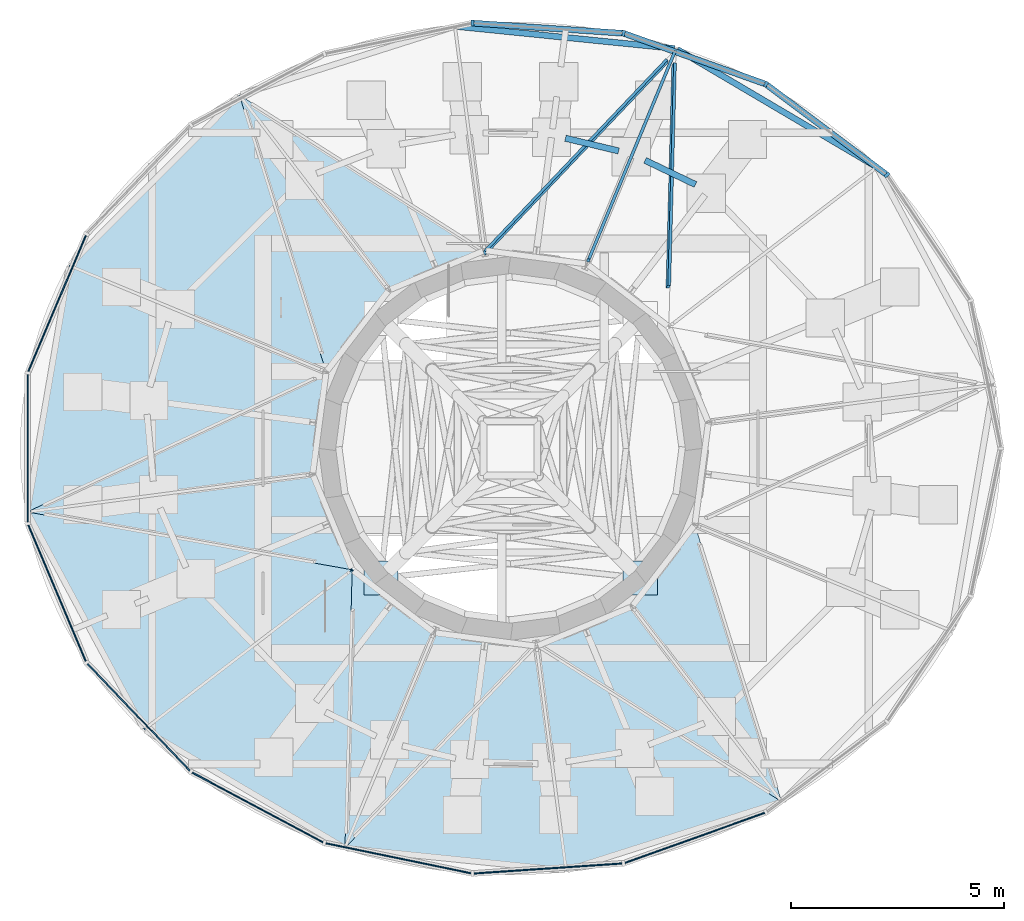
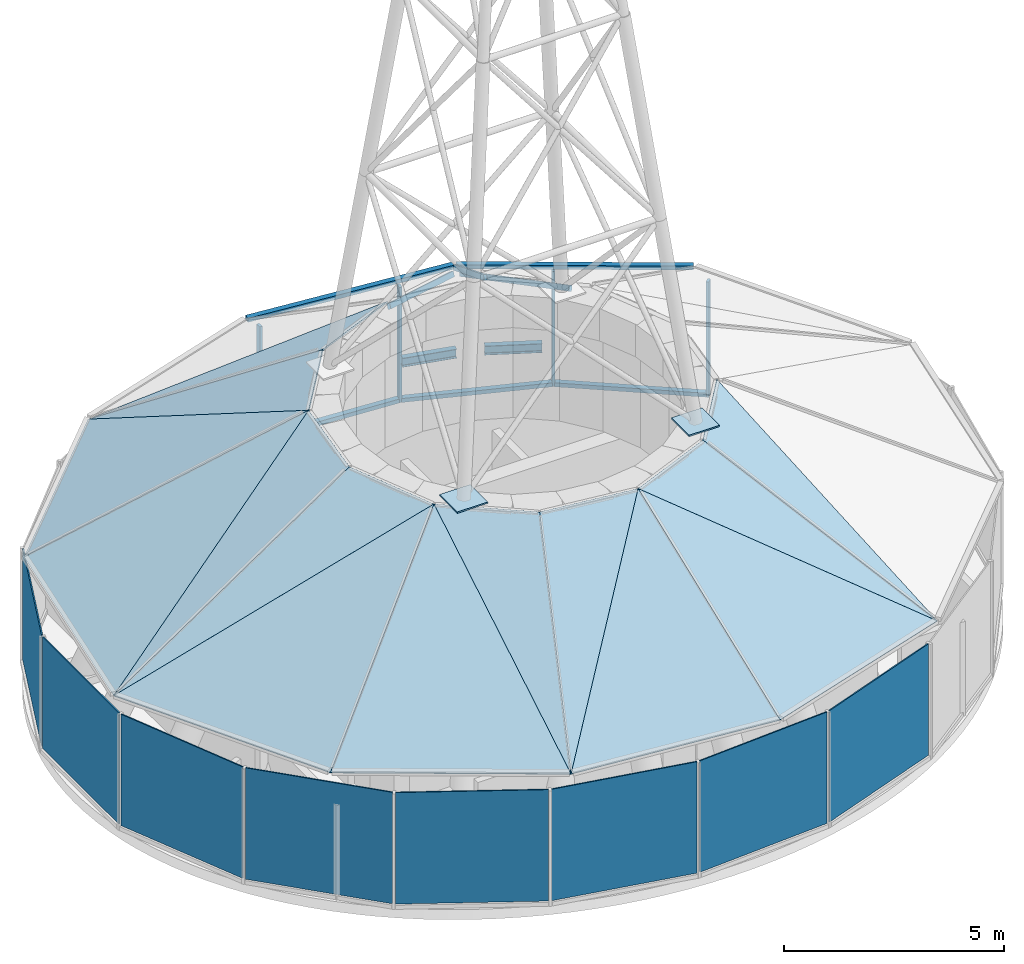
# One storey, part 5 of 10: 24 plates, 12 members, 2 beams, 21 elements without a shape of their own.
"""IFC4 building model written with IfcOpenShell, lengths in metres."""

from ifc_helpers import new_model, si_unit, direction, frame, origin, origin_2d, place, context, subcontext, project, spatial, line, indexed_curve, rectangle, i_section, outline, extrude, source, transform, mapped, material, layer, layer_set, material_profile, profile_set, type_object, element, aggregate, save


model = new_model("IFC4")

# Units and contexts
model_context = context("Model", 3, precision=1e-05, world=origin(), true_north=direction((0.0, 1.0)))
body_context = subcontext(model_context, "Body", "Model", "MODEL_VIEW")
ifc_project = project(units=[si_unit("LENGTHUNIT", "METRE"), si_unit("AREAUNIT", "SQUARE_METRE"), si_unit("VOLUMEUNIT", "CUBIC_METRE"), si_unit("PLANEANGLEUNIT", "RADIAN"), si_unit("MASSUNIT", "GRAM", prefix="KILO")], contexts=[model_context])

# Site, building, storey
site_placement = place(None, origin())
site = spatial("IfcSite", under=ifc_project, at=site_placement, CompositionType="ELEMENT")
building_placement = place(site_placement, origin())
building = spatial("IfcBuilding", under=site, at=building_placement, Name="Spindrift Exchange Tower", CompositionType="ELEMENT")
storey_placement = place(building_placement, frame((0.0, 0.0, 287.10009765625)))
storey = spatial("IfcBuildingStorey", under=building, at=storey_placement, Name="L71", CompositionType="ELEMENT", Elevation=287.10009765625)

# Beams
ifc_material_1 = material(Name="Steel Grade 300", Category="steel")
ifc_material_profile_1 = material_profile(ifc_material_1, i_section(OverallWidth=0.14599609375, OverallDepth=0.251953125, WebThickness=0.006103515625, FlangeThickness=0.008544921875, FilletRadius=0.011962890625, at=origin_2d()), Name="250UB31.4")
ifc_profile_set_1 = profile_set([ifc_material_profile_1], Name="Steel Grade 300")
beam_type = type_object("IfcBeamType", Name="Edge Beam 250UB31.4 Steel Grade 300", PredefinedType="SPANDREL", material=ifc_profile_set_1)
shared_shape_1 = source(origin(), body_context, "Body", "SweptSolid", [
    extrude(i_section(OverallWidth=0.14599609375, OverallDepth=0.251953125, WebThickness=0.006103515625, FlangeThickness=0.008544921875, FilletRadius=0.011962890625, at=origin_2d()), origin(), (0.0, 0.0, 1.0), 1.313720703125),
])
beam_1_placement = place(storey_placement, frame((56.337890625, 54.183837890625, 3.073974609375), z_axis=(-0.901377999465, 0.433033142011, 0.0), x_axis=(-0.433033142011, -0.901377999465, 0.0)))
element("IfcBeam", 1, at=beam_1_placement, inside=storey, type_object=beam_type, Name="L71 edge beam E04", PredefinedType="SPANDREL", context=body_context, shape_type="MappedRepresentation", body=[
    mapped(shared_shape_1, transform((0.0, 0.0, 0.0), scale=1.0)),
])
shared_shape_2 = source(origin(), body_context, "Body", "SweptSolid", [
    extrude(i_section(OverallWidth=0.14599609375, OverallDepth=0.251953125, WebThickness=0.006103515625, FlangeThickness=0.008544921875, FilletRadius=0.011962890625, at=origin_2d()), origin(), (0.0, 0.0, 1.0), 1.282470703125),
])
beam_2_placement = place(storey_placement, frame((54.535400390625, 54.972412109375, 3.073974609375), z_axis=(-0.972652798876, 0.232263929268, 0.0), x_axis=(-0.232263929268, -0.972652798876, 0.0)))
element("IfcBeam", 2, at=beam_2_placement, inside=storey, type_object=beam_type, Name="L71 edge beam E05", PredefinedType="SPANDREL", context=body_context, shape_type="MappedRepresentation", body=[
    mapped(shared_shape_2, transform((0.0, 0.0, 0.0), scale=1.0)),
])

# Curtain wall, members
ifc_material_2 = material(Name="Fritted laminated glass with bronze frame", Category="glass")
ifc_layer_1 = layer(ifc_material_2, 0.139892578125)
ifc_layer_set_1 = layer_set([ifc_layer_1], Name="CROWN BRONZE HOOD GLAZED ROOF")
curtain_wall_type = type_object("IfcCurtainWallType", Name="CROWN BRONZE HOOD GLAZED ROOF", PredefinedType="NOTDEFINED", material=ifc_layer_set_1)
curtain_wall_1_placement = place(storey_placement, origin())
curtain_wall_1 = element("IfcCurtainWall", 3, at=curtain_wall_1_placement, inside=storey, type_object=curtain_wall_type, Name="L71 Crown Bronze Hood Glazed Roof run 1", PredefinedType="NOTDEFINED")
ifc_material_3 = material(Name="Bronze anodised aluminium", Category="aluminium")
ifc_material_profile_2 = material_profile(ifc_material_3, rectangle(XDim=0.070068359375, YDim=0.139892578125, at=origin_2d()), Name="CROWN BRONZE HOOD GLAZED ROOF MULLION 70X140")
ifc_profile_set_2 = profile_set([ifc_material_profile_2], Name="Bronze anodised aluminium")
member_type_1 = type_object("IfcMemberType", Name="CROWN BRONZE HOOD GLAZED ROOF MULLION 70X140", PredefinedType="MULLION", material=ifc_profile_set_2)
shared_shape_3 = source(origin(), body_context, "Body", "SweptSolid", [
    extrude(rectangle(XDim=0.070068359375, YDim=0.139892578125, at=origin_2d()), origin(), (0.0, 0.0, 1.0), 3.199951171875),
])
member_1_placement = place(storey_placement, frame((60.8271484375, 54.40966796875, 0.0), z_axis=(0.0, 0.0, 1.0), x_axis=(-0.687018315312, 0.726640099654, 0.0)))
member_1 = element("IfcMember", 4, at=member_1_placement, type_object=member_type_1, Name="L71 mullion CW-H.3", PredefinedType="MULLION", context=body_context, shape_type="MappedRepresentation", body=[
    mapped(shared_shape_3, transform((0.0, 0.0, 0.0), scale=1.0)),
])
member_2_placement = place(storey_placement, frame((57.9912109375, 56.53564453125, 0.0), z_axis=(0.0, 0.0, 1.0), x_axis=(-0.8807084091, 0.473658841511, 0.0)))
member_2 = element("IfcMember", 5, at=member_2_placement, type_object=member_type_1, Name="L71 mullion CW-H.4", PredefinedType="MULLION", context=body_context, shape_type="MappedRepresentation", body=[
    mapped(shared_shape_3, transform((0.0, 0.0, 0.0), scale=1.0)),
])
member_3_placement = place(storey_placement, frame((54.651123046875, 57.730712890625, 0.0), z_axis=(0.0, 0.0, 1.0), x_axis=(-0.978947742164, 0.20411104358, 0.0)))
member_3 = element("IfcMember", 6, at=member_3_placement, type_object=member_type_1, Name="L71 mullion CW-H.5", PredefinedType="MULLION", context=body_context, shape_type="MappedRepresentation", body=[
    mapped(shared_shape_3, transform((0.0, 0.0, 0.0), scale=1.0)),
])
member_4_placement = place(storey_placement, frame((51.11083984375, 57.97021484375, 0.0), z_axis=(0.0, 0.0, 1.0), x_axis=(-0.997681086513, -0.068062101154, 0.0)))
member_4 = element("IfcMember", 7, at=member_4_placement, type_object=member_type_1, Name="L71 mullion CW-H.6", PredefinedType="MULLION", context=body_context, shape_type="MappedRepresentation", body=[
    mapped(shared_shape_3, transform((0.0, 0.0, 0.0), scale=1.0)),
])
ifc_material_profile_3 = material_profile(ifc_material_3, rectangle(XDim=0.139892578125, YDim=0.110107421875, at=origin_2d()), Name="CROWN BRONZE HOOD GLAZED ROOF TRANSOM 140X110")
ifc_profile_set_3 = profile_set([ifc_material_profile_3], Name="Bronze anodised aluminium")
member_type_2 = type_object("IfcMemberType", Name="CROWN BRONZE HOOD GLAZED ROOF TRANSOM 140X110", PredefinedType="USERDEFINED", material=ifc_profile_set_3)
shared_shape_4 = source(origin(), body_context, "Body", "SweptSolid", [
    extrude(rectangle(XDim=0.139892578125, YDim=0.110107421875, at=origin_2d()), origin(), (0.0, 0.0, 1.0), 3.47412109375),
])
member_5_placement = place(storey_placement, frame((60.799072265625, 54.4306640625, 0.054931640625), z_axis=(-0.800118041629, 0.599842578899, 0.0), x_axis=(-0.599842578899, -0.800118041629, 0.0)))
member_5 = element("IfcMember", 8, at=member_5_placement, type_object=member_type_2, Name="L71 transom CW-H.3", ObjectType="TRANSOM", PredefinedType="USERDEFINED", context=body_context, shape_type="MappedRepresentation", body=[
    mapped(shared_shape_4, transform((0.0, 0.0, 0.0), scale=1.0)),
])
shared_shape_5 = source(origin(), body_context, "Body", "SweptSolid", [
    extrude(rectangle(XDim=0.139892578125, YDim=0.110107421875, at=origin_2d()), origin(), (0.0, 0.0, 1.0), 3.477294921875),
])
member_6_placement = place(storey_placement, frame((57.958251953125, 56.547607421875, 0.054931640625), z_axis=(-0.941578190044, 0.336794465561, 0.0), x_axis=(-0.336794465561, -0.941578190044, 0.0)))
member_6 = element("IfcMember", 9, at=member_6_placement, type_object=member_type_2, Name="L71 transom CW-H.4", ObjectType="TRANSOM", PredefinedType="USERDEFINED", context=body_context, shape_type="MappedRepresentation", body=[
    mapped(shared_shape_5, transform((0.0, 0.0, 0.0), scale=1.0)),
])
shared_shape_6 = source(origin(), body_context, "Body", "SweptSolid", [
    extrude(rectangle(XDim=0.139892578125, YDim=0.110107421875, at=origin_2d()), origin(), (0.0, 0.0, 1.0), 3.478515625),
])
member_7_placement = place(storey_placement, frame((54.6162109375, 57.73291015625, 0.054931640625), z_axis=(-0.997717883704, 0.067520549006, 0.0), x_axis=(-0.067520549006, -0.997717883704, 0.0)))
member_7 = element("IfcMember", 10, at=member_7_placement, type_object=member_type_2, Name="L71 transom CW-H.5", ObjectType="TRANSOM", PredefinedType="USERDEFINED", context=body_context, shape_type="MappedRepresentation", body=[
    mapped(shared_shape_6, transform((0.0, 0.0, 0.0), scale=1.0)),
])
aggregate(curtain_wall_1, [member_1, member_5, member_2, member_6, member_3, member_7, member_4])

# Curtain wall, member
curtain_wall_2_placement = place(storey_placement, origin())
curtain_wall_2 = element("IfcCurtainWall", 11, at=curtain_wall_2_placement, inside=storey, type_object=curtain_wall_type, Name="L71 Crown Bronze Hood Glazed Roof facet 3", PredefinedType="NOTDEFINED")
shared_shape_7 = source(origin(), body_context, "Body", "SweptSolid", [
    extrude(rectangle(XDim=0.139892578125, YDim=0.110107421875, at=origin_2d()), origin(), (0.0, 0.0, 1.0), 5.398193359375),
])
member_8_placement = place(storey_placement, frame((55.911865234375, 57.353515625, 3.554931640625), z_axis=(0.861205515518, -0.508256883909, 0.0), x_axis=(0.508256883909, 0.861205515518, 0.0)))
member_8 = element("IfcMember", 12, at=member_8_placement, type_object=member_type_2, Name="L71 transom CW-H.2a", ObjectType="TRANSOM", PredefinedType="USERDEFINED", context=body_context, shape_type="MappedRepresentation", body=[
    mapped(shared_shape_7, transform((0.0, 0.0, 0.0), scale=1.0)),
])
aggregate(curtain_wall_2, [member_8])

curtain_wall_3_placement = place(storey_placement, origin())
curtain_wall_3 = element("IfcCurtainWall", 13, at=curtain_wall_3_placement, inside=storey, type_object=curtain_wall_type, Name="L71 Crown Bronze Hood Glazed Roof facet 4", PredefinedType="NOTDEFINED")
shared_shape_8 = source(origin(), body_context, "Body", "SweptSolid", [
    extrude(rectangle(XDim=0.070068359375, YDim=0.139892578125, at=origin_2d()), origin(), (0.0, 0.0, 1.0), 5.921630859375),
])
member_9_placement = place(storey_placement, frame((55.836181640625, 57.00634765625, 3.5615234375), z_axis=(-0.022923127633, -0.880932496633, 0.472686435807), x_axis=(0.953245708822, -0.161767137037, -0.255252839333)))
member_9 = element("IfcMember", 14, at=member_9_placement, type_object=member_type_1, Name="L71 glazing bar CW-H.2", PredefinedType="MULLION", context=body_context, shape_type="MappedRepresentation", body=[
    mapped(shared_shape_8, transform((0.0, 0.0, 0.0), scale=1.0)),
])
aggregate(curtain_wall_3, [member_9])

curtain_wall_4_placement = place(storey_placement, origin())
curtain_wall_4 = element("IfcCurtainWall", 15, at=curtain_wall_4_placement, inside=storey, type_object=curtain_wall_type, Name="L71 Crown Bronze Hood Glazed Roof facet 5", PredefinedType="NOTDEFINED")
shared_shape_9 = source(origin(), body_context, "Body", "SweptSolid", [
    extrude(rectangle(XDim=0.139892578125, YDim=0.110107421875, at=origin_2d()), origin(), (0.0, 0.0, 1.0), 5.14111328125),
])
member_10_placement = place(storey_placement, frame((55.846923828125, 57.374755859375, 3.554931640625), z_axis=(-0.994928935998, 0.100580377378, 0.0), x_axis=(-0.100580377378, -0.994928935998, 0.0)))
member_10 = element("IfcMember", 16, at=member_10_placement, type_object=member_type_2, Name="L71 transom CW-H.3a", ObjectType="TRANSOM", PredefinedType="USERDEFINED", context=body_context, shape_type="MappedRepresentation", body=[
    mapped(shared_shape_9, transform((0.0, 0.0, 0.0), scale=1.0)),
])

curtain_wall_5_placement = place(storey_placement, origin())
curtain_wall_5 = element("IfcCurtainWall", 17, at=curtain_wall_5_placement, inside=storey, type_object=curtain_wall_type, Name="L71 Crown Bronze Hood Glazed Roof facet 6", PredefinedType="NOTDEFINED")
shared_shape_10 = source(origin(), body_context, "Body", "SweptSolid", [
    extrude(rectangle(XDim=0.070068359375, YDim=0.139892578125, at=origin_2d()), origin(), (0.0, 0.0, 1.0), 6.270751953125),
])
member_11_placement = place(storey_placement, frame((55.846435546875, 57.2861328125, 3.558837890625), z_axis=(-0.322256339927, -0.777978275272, 0.539352069229), x_axis=(0.923876514937, -0.382690717352, 0.0)))
member_11 = element("IfcMember", 18, at=member_11_placement, type_object=member_type_1, Name="L71 mullion CW-H.3", PredefinedType="MULLION", context=body_context, shape_type="MappedRepresentation", body=[
    mapped(shared_shape_10, transform((0.0, 0.0, 0.0), scale=1.0)),
])
aggregate(curtain_wall_5, [member_11])

# Member
shared_shape_11 = source(origin(), body_context, "Body", "SweptSolid", [
    extrude(rectangle(XDim=0.070068359375, YDim=0.139892578125, at=origin_2d()), origin(), (0.0, 0.0, 1.0), 7.032958984375),
])
member_12_placement = place(storey_placement, frame((55.662353515625, 57.079833984375, 3.5615234375), z_axis=(-0.606696513428, -0.639119385977, 0.47270048769), x_axis=(0.792327554447, -0.534289413508, 0.294536702429)))
member_12 = element("IfcMember", 19, at=member_12_placement, type_object=member_type_1, Name="L71 glazing bar CW-H.3", PredefinedType="MULLION", context=body_context, shape_type="MappedRepresentation", body=[
    mapped(shared_shape_11, transform((0.0, 0.0, 0.0), scale=1.0)),
])

aggregate(curtain_wall_4, [member_10, member_12])

# Curtain wall, plate
curtain_wall_6_placement = place(storey_placement, origin())
curtain_wall_6 = element("IfcCurtainWall", 20, at=curtain_wall_6_placement, inside=storey, type_object=curtain_wall_type, Name="L71 Crown Bronze Hood Glazed Roof facet 13", PredefinedType="NOTDEFINED")
ifc_material_4 = material(Name="Bronze fritted laminated glass, close frit", Category="glass")
ifc_layer_2 = layer(ifc_material_4, 0.031982421875)
ifc_layer_set_2 = layer_set([ifc_layer_2], Name="CROWN BRONZE HOOD GLAZED ROOF PANEL CLOSE FRIT 300")
plate_type_1 = type_object("IfcPlateType", Name="CROWN BRONZE HOOD GLAZED ROOF PANEL CLOSE FRIT 300", PredefinedType="CURTAIN_PANEL", material=ifc_layer_set_2)
plate_1_placement = place(storey_placement, frame((40.669189453125, 46.50830078125, 3.527587890625), z_axis=(-0.43744031224, -0.235000364955, 0.867998157659), x_axis=(0.473249668707, -0.88092834616, 0.0)))
plate_1 = element("IfcPlate", 21, at=plate_1_placement, type_object=plate_type_1, Name="L71 panel CW-H.7a", PredefinedType="CURTAIN_PANEL", context=body_context, shape_type="SweptSolid", body=[
    extrude(outline(indexed_curve([(0.0, 0.0), (5.7900390625, 0.0), (4.80078125, 6.9931640625)], segments=[line(1, 2, 3, 1)], self_intersect=False)), origin(), (0.0, 0.0, -1.0), 0.031982421875),
])
aggregate(curtain_wall_6, [plate_1])

curtain_wall_7_placement = place(storey_placement, origin())
curtain_wall_7 = element("IfcCurtainWall", 22, at=curtain_wall_7_placement, inside=storey, type_object=curtain_wall_type, Name="L71 Crown Bronze Hood Glazed Roof facet 14", PredefinedType="NOTDEFINED")
plate_2_placement = place(storey_placement, frame((40.669189453125, 46.50830078125, 3.528076171875), z_axis=(-0.434246702203, -0.179858208572, 0.882655553676), x_axis=(0.898258789822, -0.159923281195, 0.409335669884)))
plate_2 = element("IfcPlate", 23, at=plate_2_placement, type_object=plate_type_1, Name="L71 panel CW-H.7b", PredefinedType="CURTAIN_PANEL", context=body_context, shape_type="SweptSolid", body=[
    extrude(outline(indexed_curve([(0.0, 0.0), (8.4814453125, 0.0), (7.2919921875, 2.109375)], segments=[line(1, 2, 3, 1)], self_intersect=False)), origin(), (0.0, 0.0, -1.0), 0.031982421875),
])
aggregate(curtain_wall_7, [plate_2])

curtain_wall_8_placement = place(storey_placement, origin())
curtain_wall_8 = element("IfcCurtainWall", 24, at=curtain_wall_8_placement, inside=storey, type_object=curtain_wall_type, Name="L71 Crown Bronze Hood Glazed Roof facet 19", PredefinedType="NOTDEFINED")
plate_3_placement = place(storey_placement, frame((58.3583984375, 39.713623046875, 3.526611328125), z_axis=(0.168033139477, -0.527936618462, 0.832494919459), x_axis=(-0.952897976513, -0.303291025845, 0.0)))
plate_3 = element("IfcPlate", 25, at=plate_3_placement, type_object=plate_type_1, Name="L71 panel CW-H.10a", PredefinedType="CURTAIN_PANEL", context=body_context, shape_type="SweptSolid", body=[
    extrude(outline(indexed_curve([(0.0, 0.0), (5.3056640625, 0.0), (4.37109375, -6.26953125)], segments=[line(1, 2, 3, 1)], self_intersect=False)), origin(), (0.0, 0.0, -1.0), 0.031982421875),
])
aggregate(curtain_wall_8, [plate_3])

curtain_wall_9_placement = place(storey_placement, origin())
curtain_wall_9 = element("IfcCurtainWall", 26, at=curtain_wall_9_placement, inside=storey, type_object=curtain_wall_type, Name="L71 Crown Bronze Hood Glazed Roof facet 20", PredefinedType="NOTDEFINED")
plate_4_placement = place(storey_placement, frame((58.3583984375, 39.713623046875, 3.527099609375), z_axis=(0.202471741451, -0.488844444256, 0.84854952904), x_axis=(-0.752108440979, 0.477307574084, 0.454434123643)))
plate_4 = element("IfcPlate", 27, at=plate_4_placement, type_object=plate_type_1, Name="L71 panel CW-H.10b", PredefinedType="CURTAIN_PANEL", context=body_context, shape_type="SweptSolid", body=[
    extrude(outline(indexed_curve([(0.0, 0.0), (7.642578125, 0.0), (6.4013671875, -2.080078125)], segments=[line(1, 2, 3, 1)], self_intersect=False)), origin(), (0.0, 0.0, -1.0), 0.031982421875),
])
aggregate(curtain_wall_9, [plate_4])

curtain_wall_10_placement = place(storey_placement, origin())
curtain_wall_10 = element("IfcCurtainWall", 28, at=curtain_wall_10_placement, inside=storey, type_object=curtain_wall_type, Name="L71 Crown Bronze Hood Glazed Roof facet 22", PredefinedType="NOTDEFINED")
plate_5_placement = place(storey_placement, frame((58.3583984375, 39.713623046875, 3.527099609375), z_axis=(0.419766259212, -0.322105265486, 0.848554350395), x_axis=(-0.266403779368, 0.850006638402, 0.454442230664)))
plate_5 = element("IfcPlate", 29, at=plate_5_placement, type_object=plate_type_1, Name="L71 panel CW-H.11b", PredefinedType="CURTAIN_PANEL", context=body_context, shape_type="SweptSolid", body=[
    extrude(outline(indexed_curve([(0.0, 0.0), (7.642578125, 0.0), (6.4013671875, 2.080078125)], segments=[line(1, 2, 3, 1)], self_intersect=False)), origin(), (0.0, 0.0, -1.0), 0.031982421875),
])
aggregate(curtain_wall_10, [plate_5])

curtain_wall_11_placement = place(storey_placement, origin())
curtain_wall_11 = element("IfcCurtainWall", 30, at=curtain_wall_11_placement, inside=storey, type_object=curtain_wall_type, Name="L71 Crown Bronze Hood Glazed Roof facet 8", PredefinedType="NOTDEFINED")
ifc_layer_3 = layer(ifc_material_4, 0.031982421875)
ifc_layer_set_3 = layer_set([ifc_layer_3], Name="CROWN BRONZE HOOD GLAZED ROOF PANEL CLOSE FRIT 420")
plate_type_2 = type_object("IfcPlateType", Name="CROWN BRONZE HOOD GLAZED ROOF PANEL CLOSE FRIT 420", PredefinedType="CURTAIN_PANEL", material=ifc_layer_set_3)
plate_6_placement = place(storey_placement, frame((45.6416015625, 56.286376953125, 3.527099609375), z_axis=(-0.202471741451, 0.488844444256, 0.84854952904), x_axis=(0.752108440979, -0.477307574084, 0.454434123643)))
plate_6 = element("IfcPlate", 31, at=plate_6_placement, type_object=plate_type_2, Name="L71 panel CW-H.4b", PredefinedType="CURTAIN_PANEL", context=body_context, shape_type="SweptSolid", body=[
    extrude(outline(indexed_curve([(0.0, 0.0), (7.642578125, 0.0), (6.4013671875, -2.080078125)], segments=[line(1, 2, 3, 1)], self_intersect=False)), origin(), (0.0, 0.0, -1.0), 0.031982421875),
])
aggregate(curtain_wall_11, [plate_6])

curtain_wall_12_placement = place(storey_placement, origin())
curtain_wall_12 = element("IfcCurtainWall", 32, at=curtain_wall_12_placement, inside=storey, type_object=curtain_wall_type, Name="L71 Crown Bronze Hood Glazed Roof facet 9", PredefinedType="NOTDEFINED")
plate_7_placement = place(storey_placement, frame((45.6416015625, 56.286376953125, 3.527587890625), z_axis=(-0.35362755456, 0.352354503994, 0.866483615639), x_axis=(-0.705830554927, -0.708380708187, 0.0)))
plate_7 = element("IfcPlate", 33, at=plate_7_placement, type_object=plate_type_2, Name="L71 panel CW-H.5a", PredefinedType="CURTAIN_PANEL", context=body_context, shape_type="SweptSolid", body=[
    extrude(outline(indexed_curve([(0.0, 0.0), (5.6484375, 0.0), (3.1640625, 6.9560546875)], segments=[line(1, 2, 3, 1)], self_intersect=False)), origin(), (0.0, 0.0, -1.0), 0.031982421875),
])
aggregate(curtain_wall_12, [plate_7])

curtain_wall_13_placement = place(storey_placement, origin())
curtain_wall_13 = element("IfcCurtainWall", 34, at=curtain_wall_13_placement, inside=storey, type_object=curtain_wall_type, Name="L71 Crown Bronze Hood Glazed Roof facet 10", PredefinedType="NOTDEFINED")
plate_8_placement = place(storey_placement, frame((45.6416015625, 56.286376953125, 3.527099609375), z_axis=(-0.419766259212, 0.322105265486, 0.848554350395), x_axis=(0.266403779368, -0.850006638402, 0.454442230664)))
plate_8 = element("IfcPlate", 35, at=plate_8_placement, type_object=plate_type_2, Name="L71 panel CW-H.5b", PredefinedType="CURTAIN_PANEL", context=body_context, shape_type="SweptSolid", body=[
    extrude(outline(indexed_curve([(0.0, 0.0), (7.642578125, 0.0), (6.4013671875, 2.080078125)], segments=[line(1, 2, 3, 1)], self_intersect=False)), origin(), (0.0, 0.0, -1.0), 0.031982421875),
])
aggregate(curtain_wall_13, [plate_8])

curtain_wall_14_placement = place(storey_placement, origin())
curtain_wall_14 = element("IfcCurtainWall", 36, at=curtain_wall_14_placement, inside=storey, type_object=curtain_wall_type, Name="L71 Crown Bronze Hood Glazed Roof facet 11", PredefinedType="NOTDEFINED")
plate_9_placement = place(storey_placement, frame((40.669189453125, 46.50830078125, 3.52783203125), z_axis=(-0.472556199926, 0.080623336113, 0.877604988355), x_axis=(0.168180945866, 0.985756140964, 0.0)))
plate_9 = element("IfcPlate", 37, at=plate_9_placement, type_object=plate_type_2, Name="L71 panel CW-H.6a", PredefinedType="CURTAIN_PANEL", context=body_context, shape_type="SweptSolid", body=[
    extrude(outline(indexed_curve([(0.0, 0.0), (5.8603515625, 0.0), (4.4140625, -7.2431640625)], segments=[line(1, 2, 3, 1)], self_intersect=False)), origin(), (0.0, 0.0, -1.0), 0.031982421875),
])
aggregate(curtain_wall_14, [plate_9])

curtain_wall_15_placement = place(storey_placement, origin())
curtain_wall_15 = element("IfcCurtainWall", 38, at=curtain_wall_15_placement, inside=storey, type_object=curtain_wall_type, Name="L71 Crown Bronze Hood Glazed Roof facet 12", PredefinedType="NOTDEFINED")
plate_10_placement = place(storey_placement, frame((40.669189453125, 46.50830078125, 3.528076171875), z_axis=(-0.466004346147, 0.061360002873, 0.882652196179), x_axis=(0.8262601591, 0.386965846128, 0.409330652914)))
plate_10 = element("IfcPlate", 39, at=plate_10_placement, type_object=plate_type_2, Name="L71 panel CW-H.6b", PredefinedType="CURTAIN_PANEL", context=body_context, shape_type="SweptSolid", body=[
    extrude(outline(indexed_curve([(0.0, 0.0), (8.482421875, 0.0), (7.2919921875, -2.109375)], segments=[line(1, 2, 3, 1)], self_intersect=False)), origin(), (0.0, 0.0, -1.0), 0.031982421875),
])
aggregate(curtain_wall_15, [plate_10])

curtain_wall_16_placement = place(storey_placement, origin())
curtain_wall_16 = element("IfcCurtainWall", 40, at=curtain_wall_16_placement, inside=storey, type_object=curtain_wall_type, Name="L71 Crown Bronze Hood Glazed Roof facet 17", PredefinedType="NOTDEFINED")
plate_11_placement = place(storey_placement, frame((48.118408203125, 38.62890625, 3.5263671875), z_axis=(-0.056197623453, -0.555566356624, 0.829570883352), x_axis=(0.994922887883, -0.100640186634, 0.0)))
plate_11 = element("IfcPlate", 41, at=plate_11_placement, type_object=plate_type_2, Name="L71 panel CW-H.9a", PredefinedType="CURTAIN_PANEL", context=body_context, shape_type="SweptSolid", body=[
    extrude(outline(indexed_curve([(0.0, 0.0), (5.2109375, 0.0), (3.9931640625, 6.220703125)], segments=[line(1, 2, 3, 1)], self_intersect=False)), origin(), (0.0, 0.0, -1.0), 0.031982421875),
])
aggregate(curtain_wall_16, [plate_11])

curtain_wall_17_placement = place(storey_placement, origin())
curtain_wall_17 = element("IfcCurtainWall", 42, at=curtain_wall_17_placement, inside=storey, type_object=curtain_wall_type, Name="L71 Crown Bronze Hood Glazed Roof facet 18", PredefinedType="NOTDEFINED")
plate_12_placement = place(storey_placement, frame((48.118408203125, 38.62890625, 3.526611328125), z_axis=(-0.071761418154, -0.544998878414, 0.835360114796), x_axis=(0.607718633659, 0.640218369285, 0.469892010928)))
plate_12 = element("IfcPlate", 43, at=plate_12_placement, type_object=plate_type_2, Name="L71 panel CW-H.9b", PredefinedType="CURTAIN_PANEL", context=body_context, shape_type="SweptSolid", body=[
    extrude(outline(indexed_curve([(0.0, 0.0), (7.3916015625, 0.0), (6.134765625, 2.0703125)], segments=[line(1, 2, 3, 1)], self_intersect=False)), origin(), (0.0, 0.0, -1.0), 0.031982421875),
])
aggregate(curtain_wall_17, [plate_12])

curtain_wall_18_placement = place(storey_placement, origin())
curtain_wall_18 = element("IfcCurtainWall", 44, at=curtain_wall_18_placement, inside=storey, type_object=curtain_wall_type, Name="L71 Crown Bronze Hood Glazed Roof facet 15", PredefinedType="NOTDEFINED")
ifc_layer_4 = layer(ifc_material_4, 0.031982421875)
ifc_layer_set_4 = layer_set([ifc_layer_4], Name="CROWN BRONZE HOOD GLAZED ROOF PANEL CLOSE FRIT 540")
plate_type_3 = type_object("IfcPlateType", Name="CROWN BRONZE HOOD GLAZED ROOF PANEL CLOSE FRIT 540", PredefinedType="CURTAIN_PANEL", material=ifc_layer_set_4)
plate_13_placement = place(storey_placement, frame((48.118408203125, 38.62890625, 3.527099609375), z_axis=(-0.264305562786, -0.447877536729, 0.854135985411), x_axis=(-0.861220597917, 0.508231326979, 0.0)))
plate_13 = element("IfcPlate", 45, at=plate_13_placement, type_object=plate_type_3, Name="L71 panel CW-H.8a", PredefinedType="CURTAIN_PANEL", context=body_context, shape_type="SweptSolid", body=[
    extrude(outline(indexed_curve([(0.0, 0.0), (5.4677734375, 0.0), (3.1689453125, -6.677734375)], segments=[line(1, 2, 3, 1)], self_intersect=False)), origin(), (0.0, 0.0, -1.0), 0.031982421875),
])
aggregate(curtain_wall_18, [plate_13])

curtain_wall_19_placement = place(storey_placement, origin())
curtain_wall_19 = element("IfcCurtainWall", 46, at=curtain_wall_19_placement, inside=storey, type_object=curtain_wall_type, Name="L71 Crown Bronze Hood Glazed Roof facet 16", PredefinedType="NOTDEFINED")
plate_14_placement = place(storey_placement, frame((48.118408203125, 38.62890625, 3.526611328125), z_axis=(-0.334647415871, -0.436111138087, 0.835355123458), x_axis=(0.022954150339, 0.882430199643, 0.469883017079)))
plate_14 = element("IfcPlate", 47, at=plate_14_placement, type_object=plate_type_3, Name="L71 panel CW-H.8b", PredefinedType="CURTAIN_PANEL", context=body_context, shape_type="SweptSolid", body=[
    extrude(outline(indexed_curve([(0.0, 0.0), (7.3916015625, 0.0), (6.134765625, -2.0703125)], segments=[line(1, 2, 3, 1)], self_intersect=False)), origin(), (0.0, 0.0, -1.0), 0.031982421875),
])
aggregate(curtain_wall_19, [plate_14])

# Plates
ifc_material_5 = material(Name="Steel Grade 350", Category="steel")
ifc_layer_5 = layer(ifc_material_5, 0.0400390625)
ifc_layer_set_5 = layer_set([ifc_layer_5], Name="Mast Base Plate 40 Steel Grade 350")
plate_type_4 = type_object("IfcPlateType", Name="Mast Base Plate 40 Steel Grade 350", PredefinedType="SHEET", material=ifc_layer_set_5)
shared_shape_12 = source(origin(), body_context, "Body", "SweptSolid", [
    extrude(rectangle(XDim=0.800048828125, YDim=0.800048828125, at=origin_2d()), origin(), (0.0, 0.0, 1.0), 0.0400390625),
])
for number, where, z_axis, x_axis, name in (
    (48, (48.95947265625, 44.95947265625, 7.0), (0.0, 0.0, 1.0), (1.0, 0.0, 0.0), "Mast base plate 3"),
    (49, (55.04052734375, 44.95947265625, 7.0), (0.0, 0.0, 1.0), (1.0, 0.0, 0.0), "Mast base plate 4"),
):
    element("IfcPlate", number, at=place(storey_placement, frame(where, z_axis=z_axis, x_axis=x_axis)), inside=storey, type_object=plate_type_4, Name=name, PredefinedType="SHEET", context=body_context, shape_type="MappedRepresentation", body=[
        mapped(shared_shape_12, transform((0.0, 0.0, 0.0), scale=1.0)),
    ])

# Curtain wall, plates
curtain_wall_20_placement = place(storey_placement, origin())
curtain_wall_20 = element("IfcCurtainWall", 50, at=curtain_wall_20_placement, inside=storey, type_object=curtain_wall_type, Name="L71 Crown Bronze Hood Glazed Roof run 3", PredefinedType="NOTDEFINED")
shared_shape_13 = source(origin(), body_context, "Body", "SweptSolid", [
    extrude(rectangle(XDim=3.477294921875, YDim=0.031982421875, at=origin_2d()), origin(), (0.0, 0.0, 1.0), 3.090087890625),
])
plate_15_placement = place(storey_placement, frame((56.3212890625, 38.86669921875, 0.10986328125), z_axis=(0.0, 0.0, 1.0), x_axis=(0.94155935179, 0.336847127131, 0.0)))
plate_15 = element("IfcPlate", 51, at=plate_15_placement, type_object=plate_type_1, Name="L71 panel CW-H.16", PredefinedType="CURTAIN_PANEL", context=body_context, shape_type="MappedRepresentation", body=[
    mapped(shared_shape_13, transform((0.0, 0.0, 0.0), scale=1.0)),
])
shared_shape_14 = source(origin(), body_context, "Body", "SweptSolid", [
    extrude(rectangle(XDim=3.47607421875, YDim=0.031982421875, at=origin_2d()), origin(), (0.0, 0.0, 1.0), 3.090087890625),
])
plate_16_placement = place(storey_placement, frame((46.0712890625, 39.581298828125, 0.10986328125), z_axis=(0.0, 0.0, 1.0), x_axis=(0.882649159485, -0.470032404479, 0.0)))
plate_16 = element("IfcPlate", 52, at=plate_16_placement, type_object=plate_type_2, Name="L71 panel CW-H.13", PredefinedType="CURTAIN_PANEL", context=body_context, shape_type="MappedRepresentation", body=[
    mapped(shared_shape_14, transform((0.0, 0.0, 0.0), scale=1.0)),
])

curtain_wall_21_placement = place(storey_placement, origin())
curtain_wall_21 = element("IfcCurtainWall", 53, at=curtain_wall_21_placement, inside=storey, type_object=curtain_wall_type, Name="L71 Crown Bronze Hood Glazed Roof run 2", PredefinedType="NOTDEFINED")
shared_shape_15 = source(origin(), body_context, "Body", "SweptSolid", [
    extrude(rectangle(XDim=3.46728515625, YDim=0.031982421875, at=origin_2d()), origin(), (0.0, 0.0, 1.0), 3.090087890625),
])
plate_17_placement = place(storey_placement, frame((41.369384765625, 51.396484375, 0.10986328125), z_axis=(0.0, 0.0, 1.0), x_axis=(-0.389230060499, -0.921140575593, 0.0)))
plate_17 = element("IfcPlate", 54, at=plate_17_placement, type_object=plate_type_2, Name="L71 panel CW-H.9", PredefinedType="CURTAIN_PANEL", context=body_context, shape_type="MappedRepresentation", body=[
    mapped(shared_shape_15, transform((0.0, 0.0, 0.0), scale=1.0)),
])
shared_shape_16 = source(origin(), body_context, "Body", "SweptSolid", [
    extrude(rectangle(XDim=3.464599609375, YDim=0.031982421875, at=origin_2d()), origin(), (0.0, 0.0, 1.0), 3.090087890625),
])
plate_18_placement = place(storey_placement, frame((40.680908203125, 48.0, 0.10986328125), z_axis=(0.0, 0.0, 1.0), x_axis=(0.0, -1.0, 0.0)))
plate_18 = element("IfcPlate", 55, at=plate_18_placement, type_object=plate_type_3, Name="L71 panel CW-H.10", PredefinedType="CURTAIN_PANEL", context=body_context, shape_type="MappedRepresentation", body=[
    mapped(shared_shape_16, transform((0.0, 0.0, 0.0), scale=1.0)),
])
shared_shape_17 = source(origin(), body_context, "Body", "SweptSolid", [
    extrude(rectangle(XDim=3.46728515625, YDim=0.031982421875, at=origin_2d()), origin(), (0.0, 0.0, 1.0), 3.090087890625),
])
plate_19_placement = place(storey_placement, frame((41.369384765625, 44.603515625, 0.10986328125), z_axis=(0.0, 0.0, 1.0), x_axis=(0.389230060499, -0.921140575593, 0.0)))
plate_19 = element("IfcPlate", 56, at=plate_19_placement, type_object=plate_type_3, Name="L71 panel CW-H.11", PredefinedType="CURTAIN_PANEL", context=body_context, shape_type="MappedRepresentation", body=[
    mapped(shared_shape_17, transform((0.0, 0.0, 0.0), scale=1.0)),
])
shared_shape_18 = source(origin(), body_context, "Body", "SweptSolid", [
    extrude(rectangle(XDim=3.47216796875, YDim=0.031982421875, at=origin_2d()), origin(), (0.0, 0.0, 1.0), 3.090087890625),
])
plate_20_placement = place(storey_placement, frame((43.281982421875, 41.694580078125, 0.10986328125), z_axis=(0.0, 0.0, 1.0), x_axis=(0.691221763346, -0.722642701393, 0.0)))
plate_20 = element("IfcPlate", 57, at=plate_20_placement, type_object=plate_type_1, Name="L71 panel CW-H.12", PredefinedType="CURTAIN_PANEL", context=body_context, shape_type="MappedRepresentation", body=[
    mapped(shared_shape_18, transform((0.0, 0.0, 0.0), scale=1.0)),
])
aggregate(curtain_wall_21, [plate_17, plate_18, plate_19, plate_20])

# Plate
shared_shape_19 = source(origin(), body_context, "Body", "SweptSolid", [
    extrude(rectangle(XDim=3.47802734375, YDim=0.031982421875, at=origin_2d()), origin(), (0.0, 0.0, 1.0), 3.090087890625),
])
plate_21_placement = place(storey_placement, frame((49.37353515625, 38.388916015625, 0.10986328125), z_axis=(0.0, 0.0, 1.0), x_axis=(0.97930978729, -0.202366846389, 0.0)))
plate_21 = element("IfcPlate", 58, at=plate_21_placement, type_object=plate_type_2, Name="L71 panel CW-H.14", PredefinedType="CURTAIN_PANEL", context=body_context, shape_type="MappedRepresentation", body=[
    mapped(shared_shape_19, transform((0.0, 0.0, 0.0), scale=1.0)),
])

shared_shape_20 = source(origin(), body_context, "Body", "SweptSolid", [
    extrude(rectangle(XDim=3.478515625, YDim=0.031982421875, at=origin_2d()), origin(), (0.0, 0.0, 1.0), 3.090087890625),
])
plate_22_placement = place(storey_placement, frame((52.881103515625, 38.149658203125, 0.10986328125), z_axis=(0.0, 0.0, 1.0), x_axis=(0.997719754796, 0.067492895099, 0.0)))
plate_22 = element("IfcPlate", 59, at=plate_22_placement, type_object=plate_type_2, Name="L71 panel CW-H.15", PredefinedType="CURTAIN_PANEL", context=body_context, shape_type="MappedRepresentation", body=[
    mapped(shared_shape_20, transform((0.0, 0.0, 0.0), scale=1.0)),
])

aggregate(curtain_wall_20, [plate_16, plate_21, plate_22, plate_15])

save(model, "model.ifc")
